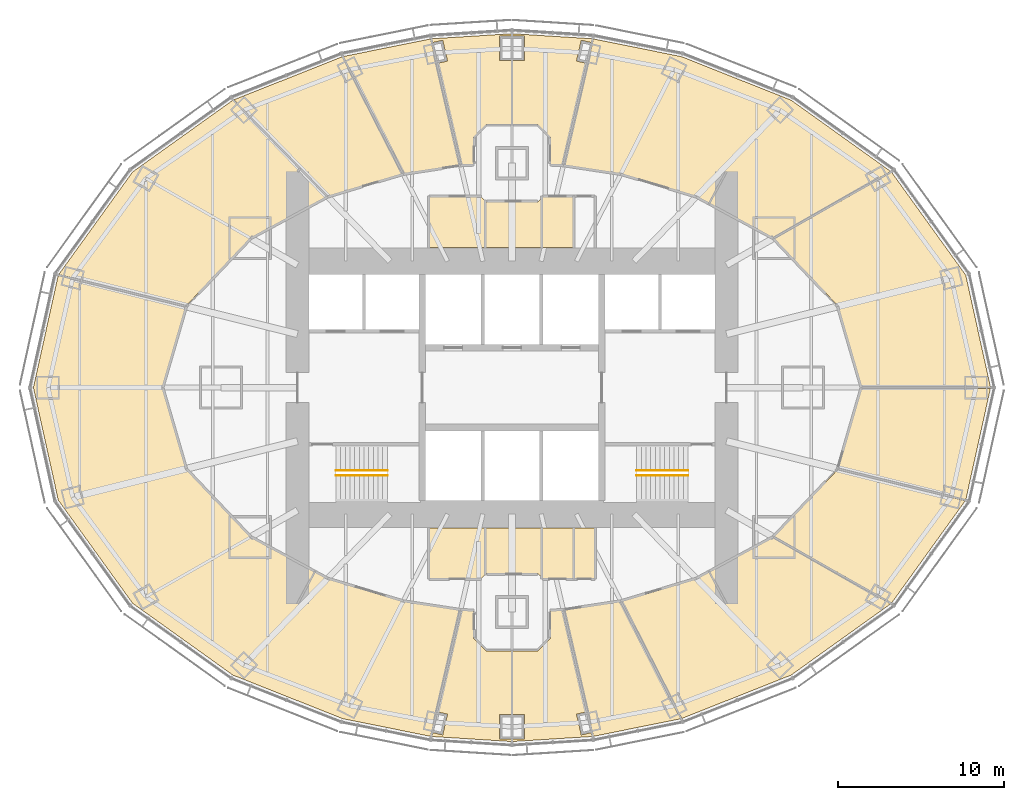
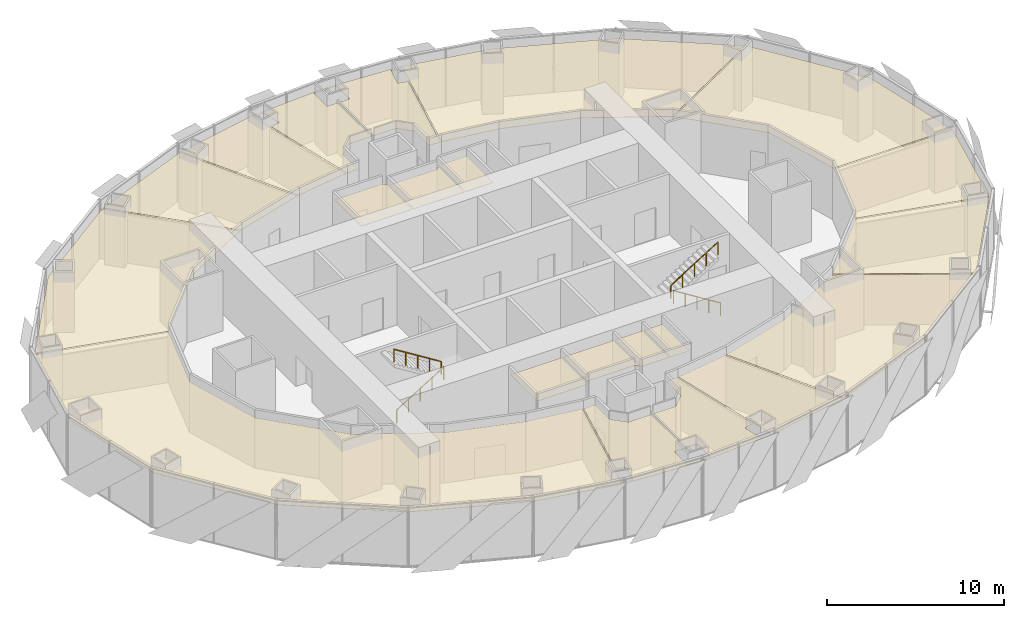
# One storey, part 18 of 18: 21 coverings, 4 railings.
"""IFC4 building model written with IfcOpenShell, lengths in metres."""

from ifc_helpers import new_model, si_unit, direction, frame, origin, origin_2d, place, context, subcontext, project, spatial, polyline, circle, outline, extrude, material, layer, layer_set, type_object, element, save


model = new_model("IFC4")

# Units and contexts
model_context = context("Model", 3, precision=1e-05, world=origin(), true_north=direction((0.0, 1.0)))
body_context = subcontext(model_context, "Body", "Model", "MODEL_VIEW")
ifc_project = project(units=[si_unit("LENGTHUNIT", "METRE"), si_unit("AREAUNIT", "SQUARE_METRE"), si_unit("VOLUMEUNIT", "CUBIC_METRE"), si_unit("PLANEANGLEUNIT", "RADIAN"), si_unit("MASSUNIT", "GRAM", prefix="KILO")], contexts=[model_context])

# Site, building, storey
site_placement = place(None, origin())
site = spatial("IfcSite", under=ifc_project, at=site_placement, CompositionType="ELEMENT")
building_placement = place(site_placement, origin())
building = spatial("IfcBuilding", under=site, at=building_placement, Name="Lantaw Convention Tower", CompositionType="ELEMENT")
storey_placement = place(building_placement, frame((0.0, 0.0, 146.800048828125)))
storey = spatial("IfcBuildingStorey", under=building, at=storey_placement, Name="L34", CompositionType="ELEMENT", Elevation=146.800048828125)

# Railings
ifc_material_1 = material(Name="Stainless steel", Category="steel")
railing_type = type_object("IfcRailingType", Name="Stair handrail", PredefinedType="HANDRAIL", material=ifc_material_1)
railing_1_placement = place(storey_placement, frame((-10.580078125, -5.280029296875, 0.175048828125)))
element("IfcRailing", 1, at=railing_1_placement, inside=storey, type_object=railing_type, Name="Stair handrail S1", PredefinedType="HANDRAIL", context=body_context, shape_type="SweptSolid", body=[
    extrude(circle(Radius=0.02392578125, at=origin_2d()), frame((0.0, 0.0, 0.8759765625), z_axis=(0.848028513186, 0.0, 0.529950602248), x_axis=(0.0, 1.0, 0.0)), (0.0, 0.0, 1.0), 3.632080078125),
    extrude(circle(Radius=0.02099609375, at=origin_2d()), origin(), (0.0, 0.0, 1.0), 0.851806640625),
    extrude(circle(Radius=0.02099609375, at=origin_2d()), frame((0.77001953125, 0.0, 0.481201171875)), (0.0, 0.0, 1.0), 0.851806640625),
    extrude(circle(Radius=0.02099609375, at=origin_2d()), frame((1.5400390625, 0.0, 0.96240234375)), (0.0, 0.0, 1.0), 0.851806640625),
    extrude(circle(Radius=0.02099609375, at=origin_2d()), frame((2.31005859375, 0.0, 1.443603515625)), (0.0, 0.0, 1.0), 0.851806640625),
    extrude(circle(Radius=0.02099609375, at=origin_2d()), frame((3.080078125, 0.0, 1.9248046875)), (0.0, 0.0, 1.0), 0.851806640625),
])
railing_2_placement = place(storey_placement, frame((-7.5, -4.97998046875, 2.27490234375)))
element("IfcRailing", 2, at=railing_2_placement, inside=storey, type_object=railing_type, Name="Stair handrail S1", PredefinedType="HANDRAIL", context=body_context, shape_type="SweptSolid", body=[
    extrude(circle(Radius=0.02392578125, at=origin_2d()), frame((0.0, 0.0, 0.8759765625), z_axis=(-0.847998304005, 0.0, 0.529998940003), x_axis=(0.0, -1.0, 0.0)), (0.0, 0.0, 1.0), 3.632080078125),
    extrude(circle(Radius=0.02099609375, at=origin_2d()), origin(), (0.0, 0.0, 1.0), 0.851806640625),
    extrude(circle(Radius=0.02099609375, at=origin_2d()), frame((-0.77001953125, 0.0, 0.481201171875)), (0.0, 0.0, 1.0), 0.851806640625),
    extrude(circle(Radius=0.02099609375, at=origin_2d()), frame((-1.5400390625, 0.0, 0.96240234375)), (0.0, 0.0, 1.0), 0.851806640625),
    extrude(circle(Radius=0.02099609375, at=origin_2d()), frame((-2.31005859375, 0.0, 1.44384765625)), (0.0, 0.0, 1.0), 0.851806640625),
    extrude(circle(Radius=0.02099609375, at=origin_2d()), frame((-3.080078125, 0.0, 1.925048828125)), (0.0, 0.0, 1.0), 0.851806640625),
])
railing_3_placement = place(storey_placement, frame((10.580078125, -5.280029296875, 0.175048828125)))
element("IfcRailing", 3, at=railing_3_placement, inside=storey, type_object=railing_type, Name="Stair handrail S2", PredefinedType="HANDRAIL", context=body_context, shape_type="SweptSolid", body=[
    extrude(circle(Radius=0.02392578125, at=origin_2d()), frame((0.0, 0.0, 0.8759765625), z_axis=(-0.848028513186, 0.0, 0.529950602248), x_axis=(0.0, -1.0, 0.0)), (0.0, 0.0, 1.0), 3.632080078125),
    extrude(circle(Radius=0.02099609375, at=origin_2d()), origin(), (0.0, 0.0, 1.0), 0.851806640625),
    extrude(circle(Radius=0.02099609375, at=origin_2d()), frame((-0.77001953125, 0.0, 0.481201171875)), (0.0, 0.0, 1.0), 0.851806640625),
    extrude(circle(Radius=0.02099609375, at=origin_2d()), frame((-1.5400390625, 0.0, 0.96240234375)), (0.0, 0.0, 1.0), 0.851806640625),
    extrude(circle(Radius=0.02099609375, at=origin_2d()), frame((-2.31005859375, 0.0, 1.443603515625)), (0.0, 0.0, 1.0), 0.851806640625),
    extrude(circle(Radius=0.02099609375, at=origin_2d()), frame((-3.080078125, 0.0, 1.9248046875)), (0.0, 0.0, 1.0), 0.851806640625),
])
railing_4_placement = place(storey_placement, frame((7.5, -4.97998046875, 2.27490234375)))
element("IfcRailing", 4, at=railing_4_placement, inside=storey, type_object=railing_type, Name="Stair handrail S2", PredefinedType="HANDRAIL", context=body_context, shape_type="SweptSolid", body=[
    extrude(circle(Radius=0.02392578125, at=origin_2d()), frame((0.0, 0.0, 0.8759765625), z_axis=(0.847998304005, 0.0, 0.529998940003), x_axis=(0.0, 1.0, 0.0)), (0.0, 0.0, 1.0), 3.632080078125),
    extrude(circle(Radius=0.02099609375, at=origin_2d()), origin(), (0.0, 0.0, 1.0), 0.851806640625),
    extrude(circle(Radius=0.02099609375, at=origin_2d()), frame((0.77001953125, 0.0, 0.481201171875)), (0.0, 0.0, 1.0), 0.851806640625),
    extrude(circle(Radius=0.02099609375, at=origin_2d()), frame((1.5400390625, 0.0, 0.96240234375)), (0.0, 0.0, 1.0), 0.851806640625),
    extrude(circle(Radius=0.02099609375, at=origin_2d()), frame((2.31005859375, 0.0, 1.44384765625)), (0.0, 0.0, 1.0), 0.851806640625),
    extrude(circle(Radius=0.02099609375, at=origin_2d()), frame((3.080078125, 0.0, 1.925048828125)), (0.0, 0.0, 1.0), 0.851806640625),
])

# Coverings
ifc_material_2 = material(Name="Gypsum board on steel suspension grid", Category="steel")
ifc_layer = layer(ifc_material_2, 0.02001953125)
ifc_layer_set = layer_set([ifc_layer], Name="Suspended ceiling")
covering_type = type_object("IfcCoveringType", Name="Suspended ceiling", PredefinedType="CEILING", material=ifc_layer_set)
covering_1_placement = place(storey_placement, frame((0.0, 0.0, 3.449951171875)))
element("IfcCovering", 5, at=covering_1_placement, inside=storey, type_object=covering_type, Name="Female WC ceiling", PredefinedType="CEILING", context=body_context, shape_type="SweptSolid", body=[
    extrude(outline(polyline([(-4.9599609375, 11.471923828125), (-4.9599609375, 8.43994140625), (-1.639892578125, 8.43994140625), (-1.639892578125, 11.26611328125), (-1.845947265625, 11.471923828125), (-4.9599609375, 11.471923828125)])), origin(), (0.0, 0.0, 1.0), 0.02001953125),
])
covering_2_placement = place(storey_placement, frame((0.0, 0.0, 3.449951171875)))
element("IfcCovering", 6, at=covering_2_placement, inside=storey, type_object=covering_type, Name="Male WC ceiling", PredefinedType="CEILING", context=body_context, shape_type="SweptSolid", body=[
    extrude(outline(polyline([(-1.56005859375, 11.186279296875), (-1.56005859375, 8.43994140625), (1.760009765625, 8.43994140625), (1.760009765625, 11.38623046875), (1.548828125, 11.175048828125), (-1.548828125, 11.175048828125), (-1.56005859375, 11.186279296875)])), origin(), (0.0, 0.0, 1.0), 0.02001953125),
])
covering_3_placement = place(storey_placement, frame((0.0, 0.0, 3.449951171875)))
element("IfcCovering", 7, at=covering_3_placement, inside=storey, type_object=covering_type, Name="Accessible WC ceiling", PredefinedType="CEILING", context=body_context, shape_type="SweptSolid", body=[
    extrude(outline(polyline([(1.840087890625, 11.466064453125), (1.840087890625, 8.43994140625), (3.659912109375, 8.43994140625), (3.659912109375, 11.471923828125), (1.845947265625, 11.471923828125), (1.840087890625, 11.466064453125)])), origin(), (0.0, 0.0, 1.0), 0.02001953125),
])
covering_4_placement = place(storey_placement, frame((0.0, 0.0, 3.449951171875)))
element("IfcCovering", 8, at=covering_4_placement, inside=storey, type_object=covering_type, Name="Female WC ceiling", PredefinedType="CEILING", context=body_context, shape_type="SweptSolid", body=[
    extrude(outline(polyline([(-4.9599609375, -8.43994140625), (-4.9599609375, -11.471923828125), (-1.845947265625, -11.471923828125), (-1.639892578125, -11.26611328125), (-1.639892578125, -8.43994140625), (-4.9599609375, -8.43994140625)])), origin(), (0.0, 0.0, 1.0), 0.02001953125),
])
covering_5_placement = place(storey_placement, frame((0.0, 0.0, 3.449951171875)))
element("IfcCovering", 9, at=covering_5_placement, inside=storey, type_object=covering_type, Name="Male WC ceiling", PredefinedType="CEILING", context=body_context, shape_type="SweptSolid", body=[
    extrude(outline(polyline([(-1.56005859375, -11.186279296875), (-1.548828125, -11.175048828125), (1.548828125, -11.175048828125), (1.760009765625, -11.38623046875), (1.760009765625, -8.43994140625), (-1.56005859375, -8.43994140625), (-1.56005859375, -11.186279296875)])), origin(), (0.0, 0.0, 1.0), 0.02001953125),
])
covering_6_placement = place(storey_placement, frame((0.0, 0.0, 3.449951171875)))
element("IfcCovering", 10, at=covering_6_placement, inside=storey, type_object=covering_type, Name="Accessible WC ceiling", PredefinedType="CEILING", context=body_context, shape_type="SweptSolid", body=[
    extrude(outline(polyline([(1.840087890625, -8.43994140625), (1.840087890625, -11.466064453125), (1.845947265625, -11.471923828125), (3.659912109375, -11.471923828125), (3.659912109375, -8.43994140625), (1.840087890625, -8.43994140625)])), origin(), (0.0, 0.0, 1.0), 0.02001953125),
])
covering_7_placement = place(storey_placement, frame((0.0, 0.0, 3.449951171875)))
element("IfcCovering", 11, at=covering_7_placement, inside=storey, type_object=covering_type, Name="Pantry ceiling", PredefinedType="CEILING", context=body_context, shape_type="SweptSolid", body=[
    extrude(outline(polyline([(3.739990234375, -11.471923828125), (4.9599609375, -11.471923828125), (4.9599609375, -8.43994140625), (3.739990234375, -8.43994140625), (3.739990234375, -11.471923828125)])), origin(), (0.0, 0.0, 1.0), 0.02001953125),
])
covering_8_placement = place(storey_placement, frame((0.0, 0.0, 3.449951171875)))
element("IfcCovering", 12, at=covering_8_placement, inside=storey, type_object=covering_type, Name="Reception ceiling", PredefinedType="CEILING", context=body_context, shape_type="SweptSolid", body=[
    extrude(outline(polyline([(21.030029296875, 0.0400390625), (28.77099609375, 0.0400390625), (27.286865234375, 6.763671875), (22.832275390625, 12.947265625), (15.760009765625, 8.959228515625), (19.61474609375, 4.902099609375), (21.030029296875, 0.0400390625)])), origin(), (0.0, 0.0, 1.0), 0.02001953125),
])
covering_9_placement = place(storey_placement, frame((0.0, 0.0, 3.449951171875)))
element("IfcCovering", 13, at=covering_9_placement, inside=storey, type_object=covering_type, Name="Boardroom ceiling", PredefinedType="CEILING", context=body_context, shape_type="SweptSolid", body=[
    extrude(outline(polyline([(15.6953125, 9.0146484375), (22.76953125, 13.003662109375), (16.778076171875, 17.29150390625), (10.1865234375, 19.90576171875), (4.899658203125, 20.970947265625), (3.1318359375, 13.38671875), (6.545654296875, 12.868408203125), (11.091552734375, 11.506591796875), (15.6953125, 9.0146484375)])), origin(), (0.0, 0.0, 1.0), 0.02001953125),
])
covering_10_placement = place(storey_placement, frame((0.0, 0.0, 3.449951171875)))
element("IfcCovering", 14, at=covering_10_placement, inside=storey, type_object=covering_type, Name="Private office ceiling", PredefinedType="CEILING", context=body_context, shape_type="SweptSolid", body=[
    extrude(outline(polyline([(2.324951171875, 15.048828125), (2.324951171875, 13.4296875), (3.051513671875, 13.395263671875), (4.475341796875, 19.50244140625), (3.87744140625, 19.640380859375), (4.16552734375, 20.8876953125), (4.765869140625, 20.7490234375), (4.81982421875, 20.98095703125), (0.0400390625, 21.281982421875), (0.0400390625, 21.139892578125), (0.739990234375, 21.139892578125), (0.739990234375, 19.659912109375), (0.0400390625, 19.659912109375), (0.0400390625, 15.824951171875), (1.548828125, 15.824951171875), (2.324951171875, 15.048828125)])), origin(), (0.0, 0.0, 1.0), 0.02001953125),
])
covering_11_placement = place(storey_placement, frame((0.0, 0.0, 3.449951171875)))
element("IfcCovering", 15, at=covering_11_placement, inside=storey, type_object=covering_type, Name="Private office ceiling", PredefinedType="CEILING", context=body_context, shape_type="SweptSolid", body=[
    extrude(outline(polyline([(-4.475341796875, 19.50244140625), (-3.051513671875, 13.395263671875), (-2.324951171875, 13.4296875), (-2.324951171875, 15.048828125), (-1.548828125, 15.824951171875), (-0.0400390625, 15.824951171875), (-0.0400390625, 19.659912109375), (-0.739990234375, 19.659912109375), (-0.739990234375, 21.139892578125), (-0.0400390625, 21.139892578125), (-0.0400390625, 21.281982421875), (-4.81982421875, 20.98095703125), (-4.765869140625, 20.7490234375), (-4.16552734375, 20.8876953125), (-3.87744140625, 19.640380859375), (-4.475341796875, 19.50244140625)])), origin(), (0.0, 0.0, 1.0), 0.02001953125),
])
covering_12_placement = place(storey_placement, frame((0.0, 0.0, 3.449951171875)))
element("IfcCovering", 16, at=covering_12_placement, inside=storey, type_object=covering_type, Name="Private office ceiling", PredefinedType="CEILING", context=body_context, shape_type="SweptSolid", body=[
    extrude(outline(polyline([(-3.1318359375, 13.38671875), (-4.899658203125, 20.970947265625), (-10.13818359375, 19.91552734375), (-6.514404296875, 12.873046875), (-3.1318359375, 13.38671875)])), origin(), (0.0, 0.0, 1.0), 0.02001953125),
])
covering_13_placement = place(storey_placement, frame((0.0, 0.0, 3.449951171875)))
element("IfcCovering", 17, at=covering_13_placement, inside=storey, type_object=covering_type, Name="Private office ceiling", PredefinedType="CEILING", context=body_context, shape_type="SweptSolid", body=[
    extrude(outline(polyline([(-6.594482421875, 12.853759765625), (-10.217041015625, 19.893798828125), (-16.726806640625, 17.311767578125), (-11.064453125, 11.514892578125), (-6.594482421875, 12.853759765625)])), origin(), (0.0, 0.0, 1.0), 0.02001953125),
])
covering_14_placement = place(storey_placement, frame((0.0, 0.0, 3.449951171875)))
element("IfcCovering", 18, at=covering_14_placement, inside=storey, type_object=covering_type, Name="Director office ceiling", PredefinedType="CEILING", context=body_context, shape_type="SweptSolid", body=[
    extrude(outline(polyline([(-11.1416015625, 11.4794921875), (-16.802001953125, 17.274169921875), (-22.815185546875, 12.970947265625), (-27.257080078125, 6.80517578125), (-19.592041015625, 4.926025390625), (-15.72021484375, 9.0009765625), (-11.1416015625, 11.4794921875)])), origin(), (0.0, 0.0, 1.0), 0.02001953125),
])
covering_15_placement = place(storey_placement, frame((0.0, 0.0, 3.449951171875)))
element("IfcCovering", 19, at=covering_15_placement, inside=storey, type_object=covering_type, Name="Open office ceiling", PredefinedType="CEILING", context=body_context, shape_type="SweptSolid", body=[
    extrude(outline(polyline([(-19.629150390625, 4.852783203125), (-27.2939453125, 6.731689453125), (-28.77978515625, 0.0), (-27.286865234375, -6.763671875), (-22.815185546875, -12.970947265625), (-16.778076171875, -17.29150390625), (-10.1865234375, -19.90576171875), (-4.899658203125, -20.970947265625), (-3.1318359375, -13.38671875), (-6.545654296875, -12.868408203125), (-11.091552734375, -11.506591796875), (-15.72021484375, -9.0009765625), (-19.61474609375, -4.902099609375), (-21.041748046875, 0.0), (-19.629150390625, 4.852783203125)])), origin(), (0.0, 0.0, 1.0), 0.02001953125),
])
covering_16_placement = place(storey_placement, frame((0.0, 0.0, 3.449951171875)))
element("IfcCovering", 20, at=covering_16_placement, inside=storey, type_object=covering_type, Name="Meeting room ceiling", PredefinedType="CEILING", context=body_context, shape_type="SweptSolid", body=[
    extrude(outline(polyline([(-2.324951171875, -15.048828125), (-2.324951171875, -13.4296875), (-3.051513671875, -13.395263671875), (-4.475341796875, -19.50244140625), (-3.87744140625, -19.640380859375), (-4.16552734375, -20.8876953125), (-4.765869140625, -20.7490234375), (-4.81982421875, -20.98095703125), (-0.0400390625, -21.281982421875), (-0.0400390625, -21.139892578125), (-0.739990234375, -21.139892578125), (-0.739990234375, -19.659912109375), (-0.0400390625, -19.659912109375), (-0.0400390625, -15.824951171875), (-1.548828125, -15.824951171875), (-2.324951171875, -15.048828125)])), origin(), (0.0, 0.0, 1.0), 0.02001953125),
])
covering_17_placement = place(storey_placement, frame((0.0, 0.0, 3.449951171875)))
element("IfcCovering", 21, at=covering_17_placement, inside=storey, type_object=covering_type, Name="Meeting room ceiling", PredefinedType="CEILING", context=body_context, shape_type="SweptSolid", body=[
    extrude(outline(polyline([(4.475341796875, -19.50244140625), (3.051513671875, -13.395263671875), (2.324951171875, -13.4296875), (2.324951171875, -15.048828125), (1.548828125, -15.824951171875), (0.0400390625, -15.824951171875), (0.0400390625, -19.659912109375), (0.739990234375, -19.659912109375), (0.739990234375, -21.139892578125), (0.0400390625, -21.139892578125), (0.0400390625, -21.281982421875), (4.81982421875, -20.98095703125), (4.765869140625, -20.7490234375), (4.16552734375, -20.8876953125), (3.87744140625, -19.640380859375), (4.475341796875, -19.50244140625)])), origin(), (0.0, 0.0, 1.0), 0.02001953125),
])
covering_18_placement = place(storey_placement, frame((0.0, 0.0, 3.449951171875)))
element("IfcCovering", 22, at=covering_18_placement, inside=storey, type_object=covering_type, Name="Pantry ceiling", PredefinedType="CEILING", context=body_context, shape_type="SweptSolid", body=[
    extrude(outline(polyline([(3.1318359375, -13.38671875), (4.899658203125, -20.970947265625), (10.13818359375, -19.91552734375), (6.514404296875, -12.873046875), (3.1318359375, -13.38671875)])), origin(), (0.0, 0.0, 1.0), 0.02001953125),
])
covering_19_placement = place(storey_placement, frame((0.0, 0.0, 3.449951171875)))
element("IfcCovering", 23, at=covering_19_placement, inside=storey, type_object=covering_type, Name="Director office ceiling", PredefinedType="CEILING", context=body_context, shape_type="SweptSolid", body=[
    extrude(outline(polyline([(6.594482421875, -12.853759765625), (10.217041015625, -19.893798828125), (16.778076171875, -17.29150390625), (22.76953125, -13.003662109375), (15.6953125, -9.0146484375), (11.091552734375, -11.506591796875), (6.594482421875, -12.853759765625)])), origin(), (0.0, 0.0, 1.0), 0.02001953125),
])
covering_20_placement = place(storey_placement, frame((0.0, 0.0, 3.449951171875)))
element("IfcCovering", 24, at=covering_20_placement, inside=storey, type_object=covering_type, Name="Private office ceiling", PredefinedType="CEILING", context=body_context, shape_type="SweptSolid", body=[
    extrude(outline(polyline([(15.760009765625, -8.959228515625), (22.832275390625, -12.947265625), (27.257080078125, -6.80517578125), (19.592041015625, -4.926025390625), (15.760009765625, -8.959228515625)])), origin(), (0.0, 0.0, 1.0), 0.02001953125),
])
covering_21_placement = place(storey_placement, frame((0.0, 0.0, 3.449951171875)))
element("IfcCovering", 25, at=covering_21_placement, inside=storey, type_object=covering_type, Name="Quiet room ceiling", PredefinedType="CEILING", context=body_context, shape_type="SweptSolid", body=[
    extrude(outline(polyline([(19.629150390625, -4.852783203125), (27.2939453125, -6.731689453125), (28.77099609375, -0.0400390625), (21.030029296875, -0.0400390625), (19.629150390625, -4.852783203125)])), origin(), (0.0, 0.0, 1.0), 0.02001953125),
])

save(model, "model.ifc")
